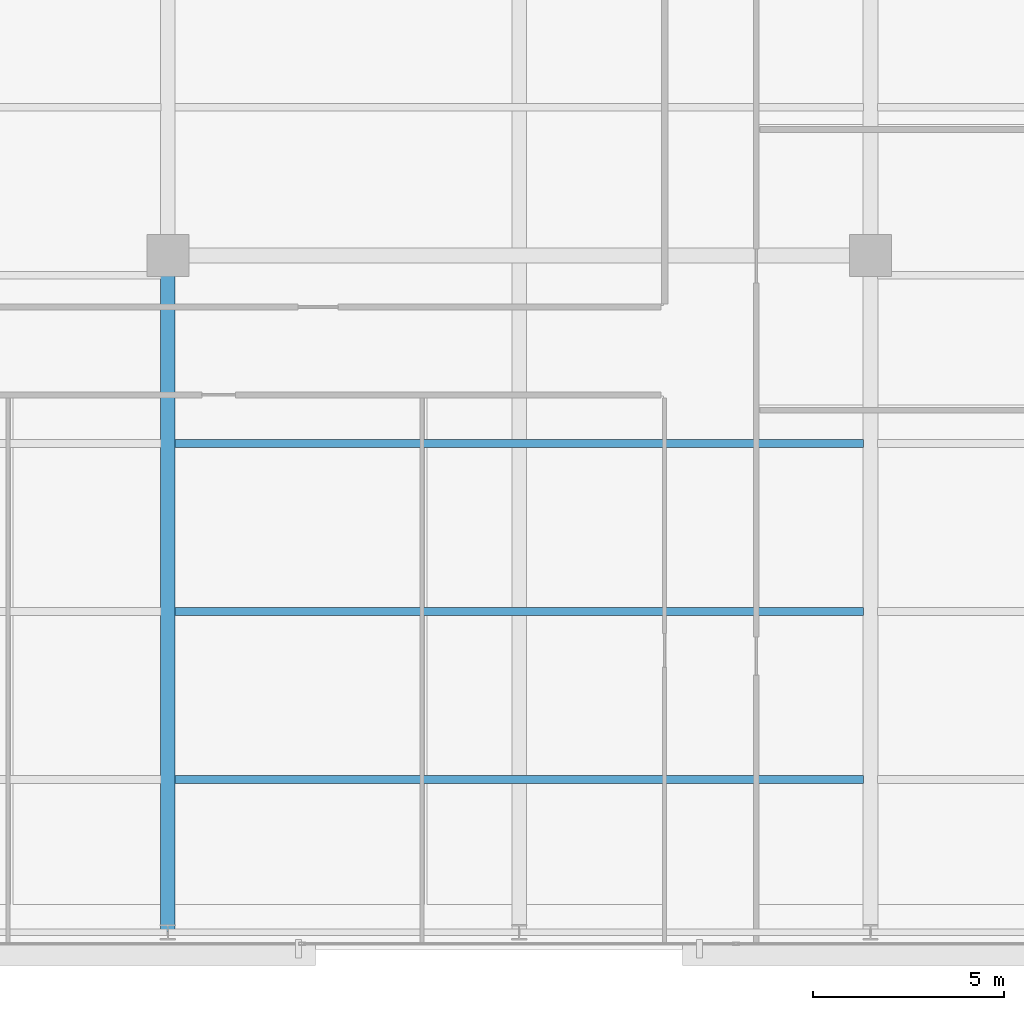
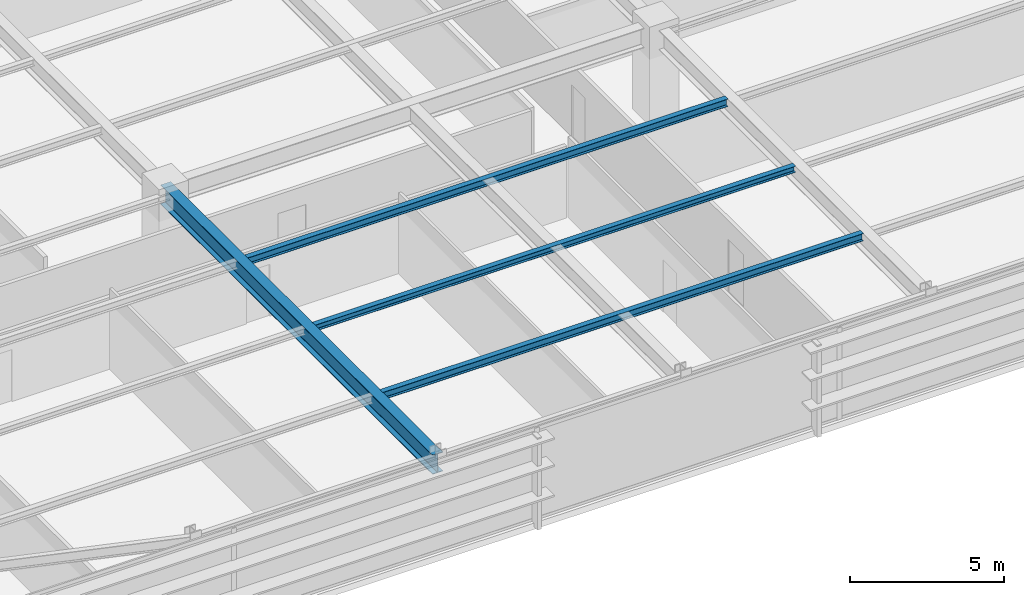
# One storey, part 7 of 30: 4 beams.
"""IFC4 building model written with IfcOpenShell, lengths in metres."""

from ifc_helpers import new_model, si_unit, direction, frame, origin, origin_2d, place, context, subcontext, project, spatial, i_section, extrude, source, transform, mapped, material, material_profile, profile_set, type_object, type_shapes, element, save


model = new_model("IFC4")

# Units and contexts
model_context = context("Model", 3, precision=1e-05, world=origin(), true_north=direction((0.0, 1.0)))
body_context = subcontext(model_context, "Body", "Model", "MODEL_VIEW")
ifc_project = project(units=[si_unit("LENGTHUNIT", "METRE"), si_unit("AREAUNIT", "SQUARE_METRE"), si_unit("VOLUMEUNIT", "CUBIC_METRE"), si_unit("PLANEANGLEUNIT", "RADIAN"), si_unit("MASSUNIT", "GRAM", prefix="KILO")], contexts=[model_context])

# Site, building, storey
site_placement = place(None, origin())
site = spatial("IfcSite", under=ifc_project, at=site_placement, CompositionType="ELEMENT")
building_placement = place(site_placement, origin())
building = spatial("IfcBuilding", under=site, at=building_placement, Name="Varnel Quay Broadcast Tower", CompositionType="ELEMENT")
storey_placement = place(building_placement, frame((0.0, 0.0, 62.699951171875)))
storey = spatial("IfcBuildingStorey", under=building, at=storey_placement, Name="L14", CompositionType="ELEMENT", Elevation=62.699951171875)

# Beams
ifc_material = material(Name="Structural Steel CSA G40.21 350W", Category="steel")
ifc_material_profile_1 = material_profile(ifc_material, i_section(OverallWidth=0.381103515625, OverallDepth=0.77294921875, WebThickness=0.0166015625, FlangeThickness=0.027587890625, FilletRadius=0.01806640625, at=origin_2d()), Name="W760X257")
ifc_profile_set_1 = profile_set([ifc_material_profile_1], Name="Structural Steel CSA G40.21 350W")
beam_type_1 = type_object("IfcBeamType", Name="Girder_W760X257", PredefinedType="BEAM", material=ifc_profile_set_1)
shared_shape_1 = source(origin(), body_context, "Body", "SweptSolid", [
    extrude(i_section(OverallWidth=0.381103515625, OverallDepth=0.77294921875, WebThickness=0.0166015625, FlangeThickness=0.027587890625, FilletRadius=0.01806640625, at=origin_2d()), origin(), (0.0, 0.0, 1.0), 17.68017578125),
])
type_shapes(beam_type_1, [shared_shape_1])
beam_1_placement = place(storey_placement, frame((24.800048828125, 1.669921875, 3.263427734375), z_axis=(0.0, 1.0, 0.0), x_axis=(-1.0, 0.0, 0.0)))
element("IfcBeam", 1, at=beam_1_placement, inside=storey, type_object=beam_type_1, Name="L14 Primary Girder TC-S2-IC-01", PredefinedType="BEAM", context=body_context, shape_type="MappedRepresentation", body=[
    mapped(shared_shape_1, transform((0.0, 0.0, 0.0), x_axis=(1.0, 0.0, 0.0), y_axis=(0.0, 1.0, 0.0), z_axis=(0.0, 0.0, 1.0), scale=1.0)),
])
ifc_material_profile_2 = material_profile(ifc_material, i_section(OverallWidth=0.202880859375, OverallDepth=0.302978515625, WebThickness=0.007568359375, FlangeThickness=0.01318359375, FilletRadius=0.011962890625, at=origin_2d()), Name="W310X60")
ifc_profile_set_2 = profile_set([ifc_material_profile_2], Name="Structural Steel CSA G40.21 350W")
beam_type_2 = type_object("IfcBeamType", Name="Beam_W310X60", PredefinedType="JOIST", material=ifc_profile_set_2)
shared_shape_2 = source(origin(), body_context, "Body", "SweptSolid", [
    extrude(i_section(OverallWidth=0.202880859375, OverallDepth=0.302978515625, WebThickness=0.007568359375, FlangeThickness=0.01318359375, FilletRadius=0.011962890625, at=origin_2d()), origin(), (0.0, 0.0, 1.0), 18.02880859375),
])
type_shapes(beam_type_2, [shared_shape_2])
for number, where, z_axis, x_axis, name in (
    (2, (24.985595703125, 5.64990234375, 3.49853515625), (1.0, 0.0, 0.0), (0.0, 1.0, 0.0), "L14 Central Floor Joist 1"),
    (3, (24.985595703125, 14.449951171875, 3.49853515625), (1.0, 0.0, 0.0), (0.0, 1.0, 0.0), "L14 Central Floor Joist 3"),
):
    element("IfcBeam", number, at=place(storey_placement, frame(where, z_axis=z_axis, x_axis=x_axis)), inside=storey, type_object=beam_type_2, Name=name, PredefinedType="JOIST", context=body_context, shape_type="MappedRepresentation", body=[
        mapped(shared_shape_2, transform((0.0, 0.0, 0.0), x_axis=(1.0, 0.0, 0.0), y_axis=(0.0, 1.0, 0.0), z_axis=(0.0, 0.0, 1.0), scale=1.0)),
    ])
ifc_material_profile_3 = material_profile(ifc_material, i_section(OverallWidth=0.201904296875, OverallDepth=0.2470703125, WebThickness=0.00732421875, FlangeThickness=0.010986328125, FilletRadius=0.010986328125, at=origin_2d()), Name="W250X49")
ifc_profile_set_3 = profile_set([ifc_material_profile_3], Name="Structural Steel CSA G40.21 350W")
beam_type_3 = type_object("IfcBeamType", Name="Beam_W250X49", PredefinedType="JOIST", material=ifc_profile_set_3)
shared_shape_3 = source(origin(), body_context, "Body", "SweptSolid", [
    extrude(i_section(OverallWidth=0.201904296875, OverallDepth=0.2470703125, WebThickness=0.00732421875, FlangeThickness=0.010986328125, FilletRadius=0.010986328125, at=origin_2d()), origin(), (0.0, 0.0, 1.0), 18.02880859375),
])
type_shapes(beam_type_3, [shared_shape_3])
beam_2_placement = place(storey_placement, frame((24.985595703125, 10.050048828125, 3.526611328125), z_axis=(1.0, 0.0, 0.0), x_axis=(0.0, 1.0, 0.0)))
element("IfcBeam", 4, at=beam_2_placement, inside=storey, type_object=beam_type_3, Name="L14 Central Floor Joist 2", PredefinedType="JOIST", context=body_context, shape_type="MappedRepresentation", body=[
    mapped(shared_shape_3, transform((0.0, 0.0, 0.0), x_axis=(1.0, 0.0, 0.0), y_axis=(0.0, 1.0, 0.0), z_axis=(0.0, 0.0, 1.0), scale=1.0)),
])

save(model, "model.ifc")
